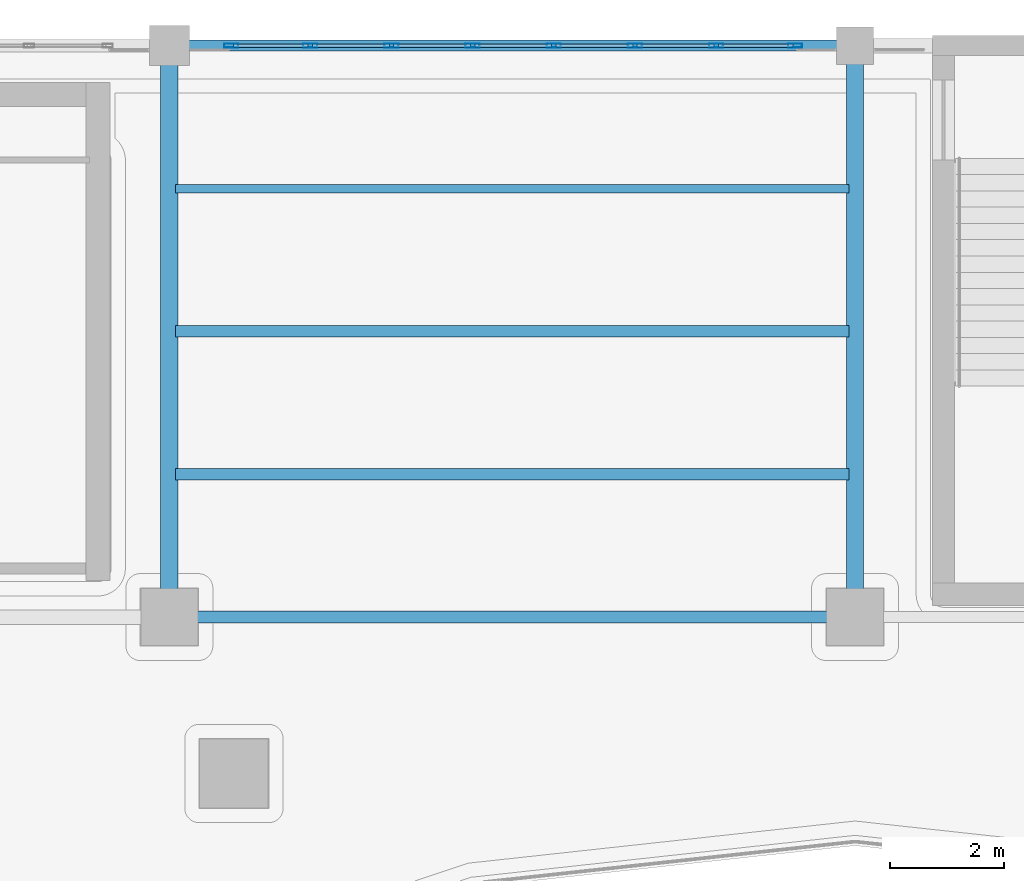
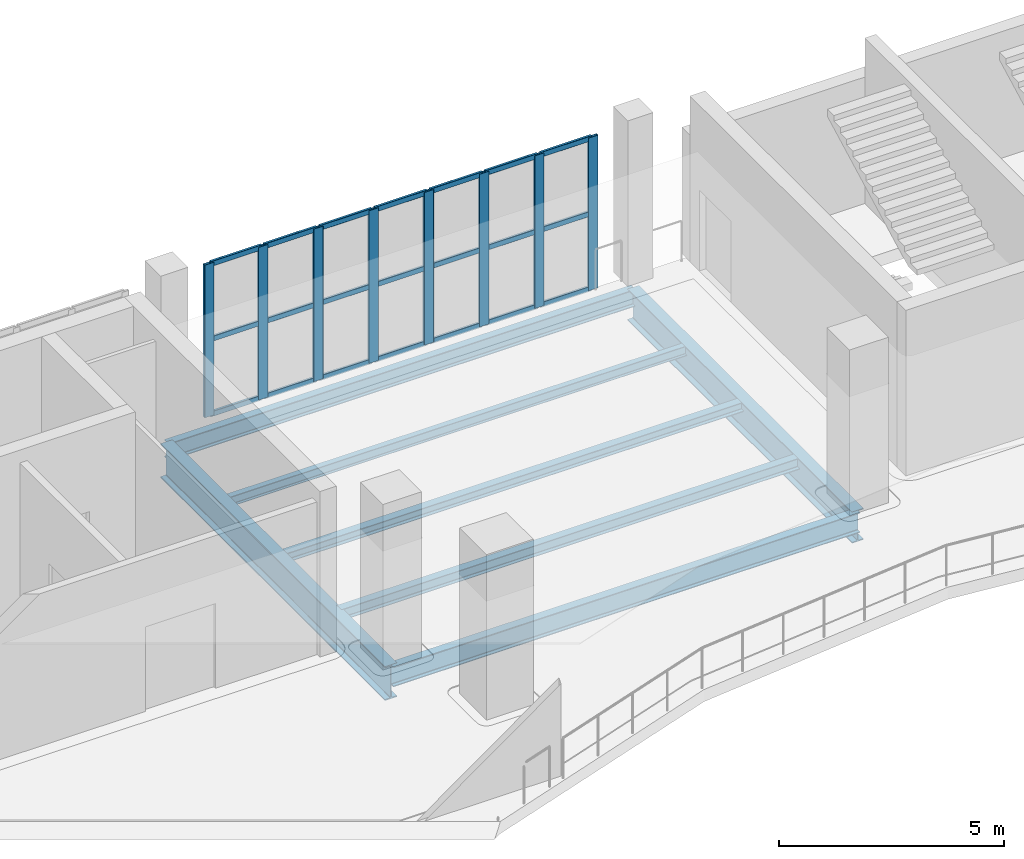
# One storey, part 45 of 108: 29 members, 7 beams, 1 element without a shape of its own.
"""IFC4 building model written with IfcOpenShell, lengths in metres."""

from ifc_helpers import new_model, si_unit, direction, frame, origin, origin_2d, place, context, subcontext, project, spatial, hollow_rectangle, i_section, extrude, material, layer, layer_set, material_profile, profile_set, type_object, element, aggregate, save


model = new_model("IFC4")

# Units and contexts
model_context = context("Model", 3, precision=1e-05, world=origin(), true_north=direction((0.0, 1.0)))
body_context = subcontext(model_context, "Body", "Model", "MODEL_VIEW")
ifc_project = project(units=[si_unit("LENGTHUNIT", "METRE"), si_unit("AREAUNIT", "SQUARE_METRE"), si_unit("VOLUMEUNIT", "CUBIC_METRE"), si_unit("PLANEANGLEUNIT", "RADIAN"), si_unit("MASSUNIT", "GRAM", prefix="KILO")], contexts=[model_context])

# Site, building, storey
site_placement = place(None, origin())
site = spatial("IfcSite", under=ifc_project, at=site_placement, CompositionType="ELEMENT")
building_placement = place(site_placement, origin())
building = spatial("IfcBuilding", under=site, at=building_placement, Name="Brinegate Civic Arena", CompositionType="ELEMENT")
storey_placement = place(building_placement, frame((0.0, 0.0, 10.199951171875)))
storey = spatial("IfcBuildingStorey", under=building, at=storey_placement, Name="L02", CompositionType="ELEMENT", Elevation=10.199951171875)

# Curtain wall, members
ifc_material_1 = material(Name="Marine grade aluminium", Category="aluminium")
ifc_layer = layer(ifc_material_1, 0.235107421875, Name="Marine grade aluminium")
ifc_layer_set = layer_set([ifc_layer], Name="Marine grade aluminium")
curtain_wall_type = type_object("IfcCurtainWallType", Name="CW-PORTAL-NORTH-01", PredefinedType="USERDEFINED", material=ifc_layer_set)
curtain_wall_placement = place(storey_placement, origin())
curtain_wall = element("IfcCurtainWall", 1, at=curtain_wall_placement, inside=storey, type_object=curtain_wall_type, Name="Curtain Wall CWA-098", ObjectType="PORTAL CURTAIN WALL", PredefinedType="USERDEFINED")
ifc_material_profile_1 = material_profile(ifc_material_1, hollow_rectangle(XDim=0.074951171875, YDim=0.25, WallThickness=0.006103515625, InnerFilletRadius=0.00390625, OuterFilletRadius=0.008056640625, at=origin_2d()), Name="MUL75X250")
ifc_profile_set_1 = profile_set([ifc_material_profile_1], Name="Marine grade aluminium")
member_type_1 = type_object("IfcMemberType", Name="CW-MULLION-75X250", PredefinedType="MULLION", material=ifc_profile_set_1)
member_1_placement = place(storey_placement, frame((97.08251953125, 124.0, 0.0), z_axis=(0.0, 0.0, 1.0), x_axis=(0.0, 1.0, 0.0)))
member_1 = element("IfcMember", 2, at=member_1_placement, type_object=member_type_1, Name="CWA-098 mullion 1", PredefinedType="MULLION", context=body_context, shape_type="SweptSolid", body=[
    extrude(hollow_rectangle(XDim=0.074951171875, YDim=0.25, WallThickness=0.006103515625, InnerFilletRadius=0.00390625, OuterFilletRadius=0.008056640625, at=origin_2d()), origin(), (0.0, 0.0, 1.0), 4.150146484375),
])
member_2_placement = place(storey_placement, frame((98.4658203125, 124.0, 0.0), z_axis=(0.0, 0.0, 1.0), x_axis=(0.0, 1.0, 0.0)))
member_2 = element("IfcMember", 3, at=member_2_placement, type_object=member_type_1, Name="CWA-098 mullion 2", PredefinedType="MULLION", context=body_context, shape_type="SweptSolid", body=[
    extrude(hollow_rectangle(XDim=0.074951171875, YDim=0.25, WallThickness=0.006103515625, InnerFilletRadius=0.00390625, OuterFilletRadius=0.008056640625, at=origin_2d()), origin(), (0.0, 0.0, 1.0), 4.150146484375),
])
member_3_placement = place(storey_placement, frame((99.886474609375, 124.0, 0.0), z_axis=(0.0, 0.0, 1.0), x_axis=(0.0, 1.0, 0.0)))
member_3 = element("IfcMember", 4, at=member_3_placement, type_object=member_type_1, Name="CWA-098 mullion 3", PredefinedType="MULLION", context=body_context, shape_type="SweptSolid", body=[
    extrude(hollow_rectangle(XDim=0.074951171875, YDim=0.25, WallThickness=0.006103515625, InnerFilletRadius=0.00390625, OuterFilletRadius=0.008056640625, at=origin_2d()), origin(), (0.0, 0.0, 1.0), 4.150146484375),
])
member_4_placement = place(storey_placement, frame((101.30712890625, 124.0, 0.0), z_axis=(0.0, 0.0, 1.0), x_axis=(0.0, 1.0, 0.0)))
member_4 = element("IfcMember", 5, at=member_4_placement, type_object=member_type_1, Name="CWA-098 mullion 4", PredefinedType="MULLION", context=body_context, shape_type="SweptSolid", body=[
    extrude(hollow_rectangle(XDim=0.074951171875, YDim=0.25, WallThickness=0.006103515625, InnerFilletRadius=0.00390625, OuterFilletRadius=0.008056640625, at=origin_2d()), origin(), (0.0, 0.0, 1.0), 4.150146484375),
])
member_5_placement = place(storey_placement, frame((102.727783203125, 124.0, 0.0), z_axis=(0.0, 0.0, 1.0), x_axis=(0.0, 1.0, 0.0)))
member_5 = element("IfcMember", 6, at=member_5_placement, type_object=member_type_1, Name="CWA-098 mullion 5", PredefinedType="MULLION", context=body_context, shape_type="SweptSolid", body=[
    extrude(hollow_rectangle(XDim=0.074951171875, YDim=0.25, WallThickness=0.006103515625, InnerFilletRadius=0.00390625, OuterFilletRadius=0.008056640625, at=origin_2d()), origin(), (0.0, 0.0, 1.0), 4.150146484375),
])
member_6_placement = place(storey_placement, frame((104.148681640625, 124.0, 0.0), z_axis=(0.0, 0.0, 1.0), x_axis=(0.0, 1.0, 0.0)))
member_6 = element("IfcMember", 7, at=member_6_placement, type_object=member_type_1, Name="CWA-098 mullion 6", PredefinedType="MULLION", context=body_context, shape_type="SweptSolid", body=[
    extrude(hollow_rectangle(XDim=0.074951171875, YDim=0.25, WallThickness=0.006103515625, InnerFilletRadius=0.00390625, OuterFilletRadius=0.008056640625, at=origin_2d()), origin(), (0.0, 0.0, 1.0), 4.150146484375),
])
member_7_placement = place(storey_placement, frame((105.5693359375, 124.0, 0.0), z_axis=(0.0, 0.0, 1.0), x_axis=(0.0, 1.0, 0.0)))
member_7 = element("IfcMember", 8, at=member_7_placement, type_object=member_type_1, Name="CWA-098 mullion 7", PredefinedType="MULLION", context=body_context, shape_type="SweptSolid", body=[
    extrude(hollow_rectangle(XDim=0.074951171875, YDim=0.25, WallThickness=0.006103515625, InnerFilletRadius=0.00390625, OuterFilletRadius=0.008056640625, at=origin_2d()), origin(), (0.0, 0.0, 1.0), 4.150146484375),
])
member_8_placement = place(storey_placement, frame((106.952392578125, 124.0, 0.0), z_axis=(0.0, 0.0, 1.0), x_axis=(0.0, 1.0, 0.0)))
member_8 = element("IfcMember", 9, at=member_8_placement, type_object=member_type_1, Name="CWA-098 mullion 8", PredefinedType="MULLION", context=body_context, shape_type="SweptSolid", body=[
    extrude(hollow_rectangle(XDim=0.074951171875, YDim=0.25, WallThickness=0.006103515625, InnerFilletRadius=0.00390625, OuterFilletRadius=0.008056640625, at=origin_2d()), origin(), (0.0, 0.0, 1.0), 4.150146484375),
])
ifc_material_profile_2 = material_profile(ifc_material_1, hollow_rectangle(XDim=0.06494140625, YDim=0.139892578125, WallThickness=0.0048828125, InnerFilletRadius=0.00390625, OuterFilletRadius=0.008056640625, at=origin_2d()), Name="TRN65X140")
ifc_profile_set_2 = profile_set([ifc_material_profile_2], Name="Marine grade aluminium")
member_type_2 = type_object("IfcMemberType", Name="CW-TRANSOM-65X140", PredefinedType="USERDEFINED", material=ifc_profile_set_2)
member_9_placement = place(storey_placement, frame((97.1201171875, 124.0, 0.032470703125), z_axis=(1.0, 0.0, 0.0), x_axis=(0.0, 1.0, 0.0)))
member_9 = element("IfcMember", 10, at=member_9_placement, type_object=member_type_2, Name="CWA-098 transom 1.1", ObjectType="TRANSOM", PredefinedType="USERDEFINED", context=body_context, shape_type="SweptSolid", body=[
    extrude(hollow_rectangle(XDim=0.06494140625, YDim=0.139892578125, WallThickness=0.0048828125, InnerFilletRadius=0.00390625, OuterFilletRadius=0.008056640625, at=origin_2d()), origin(), (0.0, 0.0, 1.0), 1.30810546875),
])
member_10_placement = place(storey_placement, frame((97.1201171875, 124.0, 2.074951171875), z_axis=(1.0, 0.0, 0.0), x_axis=(0.0, 1.0, 0.0)))
member_10 = element("IfcMember", 11, at=member_10_placement, type_object=member_type_2, Name="CWA-098 transom 1.2", ObjectType="TRANSOM", PredefinedType="USERDEFINED", context=body_context, shape_type="SweptSolid", body=[
    extrude(hollow_rectangle(XDim=0.06494140625, YDim=0.139892578125, WallThickness=0.0048828125, InnerFilletRadius=0.00390625, OuterFilletRadius=0.008056640625, at=origin_2d()), origin(), (0.0, 0.0, 1.0), 1.30810546875),
])
member_11_placement = place(storey_placement, frame((97.1201171875, 124.0, 4.117431640625), z_axis=(1.0, 0.0, 0.0), x_axis=(0.0, 1.0, 0.0)))
member_11 = element("IfcMember", 12, at=member_11_placement, type_object=member_type_2, Name="CWA-098 transom 1.3", ObjectType="TRANSOM", PredefinedType="USERDEFINED", context=body_context, shape_type="SweptSolid", body=[
    extrude(hollow_rectangle(XDim=0.06494140625, YDim=0.139892578125, WallThickness=0.0048828125, InnerFilletRadius=0.00390625, OuterFilletRadius=0.008056640625, at=origin_2d()), origin(), (0.0, 0.0, 1.0), 1.30810546875),
])
member_12_placement = place(storey_placement, frame((98.503173828125, 124.0, 0.032470703125), z_axis=(1.0, 0.0, 0.0), x_axis=(0.0, 1.0, 0.0)))
member_12 = element("IfcMember", 13, at=member_12_placement, type_object=member_type_2, Name="CWA-098 transom 2.1", ObjectType="TRANSOM", PredefinedType="USERDEFINED", context=body_context, shape_type="SweptSolid", body=[
    extrude(hollow_rectangle(XDim=0.06494140625, YDim=0.139892578125, WallThickness=0.0048828125, InnerFilletRadius=0.00390625, OuterFilletRadius=0.008056640625, at=origin_2d()), origin(), (0.0, 0.0, 1.0), 1.345703125),
])
member_13_placement = place(storey_placement, frame((98.503173828125, 124.0, 2.074951171875), z_axis=(1.0, 0.0, 0.0), x_axis=(0.0, 1.0, 0.0)))
member_13 = element("IfcMember", 14, at=member_13_placement, type_object=member_type_2, Name="CWA-098 transom 2.2", ObjectType="TRANSOM", PredefinedType="USERDEFINED", context=body_context, shape_type="SweptSolid", body=[
    extrude(hollow_rectangle(XDim=0.06494140625, YDim=0.139892578125, WallThickness=0.0048828125, InnerFilletRadius=0.00390625, OuterFilletRadius=0.008056640625, at=origin_2d()), origin(), (0.0, 0.0, 1.0), 1.345703125),
])
member_14_placement = place(storey_placement, frame((98.503173828125, 124.0, 4.117431640625), z_axis=(1.0, 0.0, 0.0), x_axis=(0.0, 1.0, 0.0)))
member_14 = element("IfcMember", 15, at=member_14_placement, type_object=member_type_2, Name="CWA-098 transom 2.3", ObjectType="TRANSOM", PredefinedType="USERDEFINED", context=body_context, shape_type="SweptSolid", body=[
    extrude(hollow_rectangle(XDim=0.06494140625, YDim=0.139892578125, WallThickness=0.0048828125, InnerFilletRadius=0.00390625, OuterFilletRadius=0.008056640625, at=origin_2d()), origin(), (0.0, 0.0, 1.0), 1.345703125),
])
member_15_placement = place(storey_placement, frame((99.923828125, 124.0, 0.032470703125), z_axis=(1.0, 0.0, 0.0), x_axis=(0.0, 1.0, 0.0)))
member_15 = element("IfcMember", 16, at=member_15_placement, type_object=member_type_2, Name="CWA-098 transom 3.1", ObjectType="TRANSOM", PredefinedType="USERDEFINED", context=body_context, shape_type="SweptSolid", body=[
    extrude(hollow_rectangle(XDim=0.06494140625, YDim=0.139892578125, WallThickness=0.0048828125, InnerFilletRadius=0.00390625, OuterFilletRadius=0.008056640625, at=origin_2d()), origin(), (0.0, 0.0, 1.0), 1.345703125),
])
member_16_placement = place(storey_placement, frame((99.923828125, 124.0, 2.074951171875), z_axis=(1.0, 0.0, 0.0), x_axis=(0.0, 1.0, 0.0)))
member_16 = element("IfcMember", 17, at=member_16_placement, type_object=member_type_2, Name="CWA-098 transom 3.2", ObjectType="TRANSOM", PredefinedType="USERDEFINED", context=body_context, shape_type="SweptSolid", body=[
    extrude(hollow_rectangle(XDim=0.06494140625, YDim=0.139892578125, WallThickness=0.0048828125, InnerFilletRadius=0.00390625, OuterFilletRadius=0.008056640625, at=origin_2d()), origin(), (0.0, 0.0, 1.0), 1.345703125),
])
member_17_placement = place(storey_placement, frame((99.923828125, 124.0, 4.117431640625), z_axis=(1.0, 0.0, 0.0), x_axis=(0.0, 1.0, 0.0)))
member_17 = element("IfcMember", 18, at=member_17_placement, type_object=member_type_2, Name="CWA-098 transom 3.3", ObjectType="TRANSOM", PredefinedType="USERDEFINED", context=body_context, shape_type="SweptSolid", body=[
    extrude(hollow_rectangle(XDim=0.06494140625, YDim=0.139892578125, WallThickness=0.0048828125, InnerFilletRadius=0.00390625, OuterFilletRadius=0.008056640625, at=origin_2d()), origin(), (0.0, 0.0, 1.0), 1.345703125),
])
member_18_placement = place(storey_placement, frame((101.3447265625, 124.0, 0.032470703125), z_axis=(1.0, 0.0, 0.0), x_axis=(0.0, 1.0, 0.0)))
member_18 = element("IfcMember", 19, at=member_18_placement, type_object=member_type_2, Name="CWA-098 transom 4.1", ObjectType="TRANSOM", PredefinedType="USERDEFINED", context=body_context, shape_type="SweptSolid", body=[
    extrude(hollow_rectangle(XDim=0.06494140625, YDim=0.139892578125, WallThickness=0.0048828125, InnerFilletRadius=0.00390625, OuterFilletRadius=0.008056640625, at=origin_2d()), origin(), (0.0, 0.0, 1.0), 1.345703125),
])
member_19_placement = place(storey_placement, frame((101.3447265625, 124.0, 2.074951171875), z_axis=(1.0, 0.0, 0.0), x_axis=(0.0, 1.0, 0.0)))
member_19 = element("IfcMember", 20, at=member_19_placement, type_object=member_type_2, Name="CWA-098 transom 4.2", ObjectType="TRANSOM", PredefinedType="USERDEFINED", context=body_context, shape_type="SweptSolid", body=[
    extrude(hollow_rectangle(XDim=0.06494140625, YDim=0.139892578125, WallThickness=0.0048828125, InnerFilletRadius=0.00390625, OuterFilletRadius=0.008056640625, at=origin_2d()), origin(), (0.0, 0.0, 1.0), 1.345703125),
])
member_20_placement = place(storey_placement, frame((101.3447265625, 124.0, 4.117431640625), z_axis=(1.0, 0.0, 0.0), x_axis=(0.0, 1.0, 0.0)))
member_20 = element("IfcMember", 21, at=member_20_placement, type_object=member_type_2, Name="CWA-098 transom 4.3", ObjectType="TRANSOM", PredefinedType="USERDEFINED", context=body_context, shape_type="SweptSolid", body=[
    extrude(hollow_rectangle(XDim=0.06494140625, YDim=0.139892578125, WallThickness=0.0048828125, InnerFilletRadius=0.00390625, OuterFilletRadius=0.008056640625, at=origin_2d()), origin(), (0.0, 0.0, 1.0), 1.345703125),
])
member_21_placement = place(storey_placement, frame((102.765380859375, 124.0, 0.032470703125), z_axis=(1.0, 0.0, 0.0), x_axis=(0.0, 1.0, 0.0)))
member_21 = element("IfcMember", 22, at=member_21_placement, type_object=member_type_2, Name="CWA-098 transom 5.1", ObjectType="TRANSOM", PredefinedType="USERDEFINED", context=body_context, shape_type="SweptSolid", body=[
    extrude(hollow_rectangle(XDim=0.06494140625, YDim=0.139892578125, WallThickness=0.0048828125, InnerFilletRadius=0.00390625, OuterFilletRadius=0.008056640625, at=origin_2d()), origin(), (0.0, 0.0, 1.0), 1.345703125),
])
member_22_placement = place(storey_placement, frame((102.765380859375, 124.0, 2.074951171875), z_axis=(1.0, 0.0, 0.0), x_axis=(0.0, 1.0, 0.0)))
member_22 = element("IfcMember", 23, at=member_22_placement, type_object=member_type_2, Name="CWA-098 transom 5.2", ObjectType="TRANSOM", PredefinedType="USERDEFINED", context=body_context, shape_type="SweptSolid", body=[
    extrude(hollow_rectangle(XDim=0.06494140625, YDim=0.139892578125, WallThickness=0.0048828125, InnerFilletRadius=0.00390625, OuterFilletRadius=0.008056640625, at=origin_2d()), origin(), (0.0, 0.0, 1.0), 1.345703125),
])
member_23_placement = place(storey_placement, frame((102.765380859375, 124.0, 4.117431640625), z_axis=(1.0, 0.0, 0.0), x_axis=(0.0, 1.0, 0.0)))
member_23 = element("IfcMember", 24, at=member_23_placement, type_object=member_type_2, Name="CWA-098 transom 5.3", ObjectType="TRANSOM", PredefinedType="USERDEFINED", context=body_context, shape_type="SweptSolid", body=[
    extrude(hollow_rectangle(XDim=0.06494140625, YDim=0.139892578125, WallThickness=0.0048828125, InnerFilletRadius=0.00390625, OuterFilletRadius=0.008056640625, at=origin_2d()), origin(), (0.0, 0.0, 1.0), 1.345703125),
])
member_24_placement = place(storey_placement, frame((104.18603515625, 124.0, 0.032470703125), z_axis=(1.0, 0.0, 0.0), x_axis=(0.0, 1.0, 0.0)))
member_24 = element("IfcMember", 25, at=member_24_placement, type_object=member_type_2, Name="CWA-098 transom 6.1", ObjectType="TRANSOM", PredefinedType="USERDEFINED", context=body_context, shape_type="SweptSolid", body=[
    extrude(hollow_rectangle(XDim=0.06494140625, YDim=0.139892578125, WallThickness=0.0048828125, InnerFilletRadius=0.00390625, OuterFilletRadius=0.008056640625, at=origin_2d()), origin(), (0.0, 0.0, 1.0), 1.345703125),
])
member_25_placement = place(storey_placement, frame((104.18603515625, 124.0, 2.074951171875), z_axis=(1.0, 0.0, 0.0), x_axis=(0.0, 1.0, 0.0)))
member_25 = element("IfcMember", 26, at=member_25_placement, type_object=member_type_2, Name="CWA-098 transom 6.2", ObjectType="TRANSOM", PredefinedType="USERDEFINED", context=body_context, shape_type="SweptSolid", body=[
    extrude(hollow_rectangle(XDim=0.06494140625, YDim=0.139892578125, WallThickness=0.0048828125, InnerFilletRadius=0.00390625, OuterFilletRadius=0.008056640625, at=origin_2d()), origin(), (0.0, 0.0, 1.0), 1.345703125),
])
member_26_placement = place(storey_placement, frame((104.18603515625, 124.0, 4.117431640625), z_axis=(1.0, 0.0, 0.0), x_axis=(0.0, 1.0, 0.0)))
member_26 = element("IfcMember", 27, at=member_26_placement, type_object=member_type_2, Name="CWA-098 transom 6.3", ObjectType="TRANSOM", PredefinedType="USERDEFINED", context=body_context, shape_type="SweptSolid", body=[
    extrude(hollow_rectangle(XDim=0.06494140625, YDim=0.139892578125, WallThickness=0.0048828125, InnerFilletRadius=0.00390625, OuterFilletRadius=0.008056640625, at=origin_2d()), origin(), (0.0, 0.0, 1.0), 1.345703125),
])
member_27_placement = place(storey_placement, frame((105.606689453125, 124.0, 0.032470703125), z_axis=(1.0, 0.0, 0.0), x_axis=(0.0, 1.0, 0.0)))
member_27 = element("IfcMember", 28, at=member_27_placement, type_object=member_type_2, Name="CWA-098 transom 7.1", ObjectType="TRANSOM", PredefinedType="USERDEFINED", context=body_context, shape_type="SweptSolid", body=[
    extrude(hollow_rectangle(XDim=0.06494140625, YDim=0.139892578125, WallThickness=0.0048828125, InnerFilletRadius=0.00390625, OuterFilletRadius=0.008056640625, at=origin_2d()), origin(), (0.0, 0.0, 1.0), 1.308349609375),
])
member_28_placement = place(storey_placement, frame((105.606689453125, 124.0, 2.074951171875), z_axis=(1.0, 0.0, 0.0), x_axis=(0.0, 1.0, 0.0)))
member_28 = element("IfcMember", 29, at=member_28_placement, type_object=member_type_2, Name="CWA-098 transom 7.2", ObjectType="TRANSOM", PredefinedType="USERDEFINED", context=body_context, shape_type="SweptSolid", body=[
    extrude(hollow_rectangle(XDim=0.06494140625, YDim=0.139892578125, WallThickness=0.0048828125, InnerFilletRadius=0.00390625, OuterFilletRadius=0.008056640625, at=origin_2d()), origin(), (0.0, 0.0, 1.0), 1.308349609375),
])
member_29_placement = place(storey_placement, frame((105.606689453125, 124.0, 4.117431640625), z_axis=(1.0, 0.0, 0.0), x_axis=(0.0, 1.0, 0.0)))
member_29 = element("IfcMember", 30, at=member_29_placement, type_object=member_type_2, Name="CWA-098 transom 7.3", ObjectType="TRANSOM", PredefinedType="USERDEFINED", context=body_context, shape_type="SweptSolid", body=[
    extrude(hollow_rectangle(XDim=0.06494140625, YDim=0.139892578125, WallThickness=0.0048828125, InnerFilletRadius=0.00390625, OuterFilletRadius=0.008056640625, at=origin_2d()), origin(), (0.0, 0.0, 1.0), 1.308349609375),
])
aggregate(curtain_wall, [member_1, member_2, member_3, member_4, member_5, member_6, member_7, member_8, member_9, member_10, member_11, member_12, member_13, member_14, member_15, member_16, member_17, member_18, member_19, member_20, member_21, member_22, member_23, member_24, member_25, member_26, member_27, member_28, member_29])

# Beams
ifc_material_2 = material(Name="Steel S355", Category="steel")
ifc_material_profile_3 = material_profile(ifc_material_2, i_section(OverallWidth=0.2939453125, OverallDepth=0.85107421875, WebThickness=0.01611328125, FlangeThickness=0.027099609375, FilletRadius=0.02197265625, at=origin_2d()), Name="W840X226")
ifc_profile_set_3 = profile_set([ifc_material_profile_3], Name="Steel S355")
beam_type_1 = type_object("IfcBeamType", Name="GIRDER-W840X226", PredefinedType="BEAM", material=ifc_profile_set_3)
beam_1_placement = place(storey_placement, frame((108.0, 114.0, -0.7548828125), z_axis=(0.0, 1.0, 0.0), x_axis=(-1.0, 0.0, 0.0)))
element("IfcBeam", 31, at=beam_1_placement, inside=storey, type_object=beam_type_1, Name="Floor Girder BM-L02-GY-09-11", PredefinedType="BEAM", context=body_context, shape_type="SweptSolid", body=[
    extrude(i_section(OverallWidth=0.2939453125, OverallDepth=0.85107421875, WebThickness=0.01611328125, FlangeThickness=0.027099609375, FilletRadius=0.02197265625, at=origin_2d()), origin(), (0.0, 0.0, 1.0), 10.0),
])
ifc_material_profile_4 = material_profile(ifc_material_2, i_section(OverallWidth=0.30810546875, OverallDepth=0.927001953125, WebThickness=0.01904296875, FlangeThickness=0.031982421875, FilletRadius=0.02392578125, at=origin_2d()), Name="W920X289")
ifc_profile_set_4 = profile_set([ifc_material_profile_4], Name="Steel S355")
beam_type_2 = type_object("IfcBeamType", Name="GIRDER-W920X289", PredefinedType="BEAM", material=ifc_profile_set_4)
beam_2_placement = place(storey_placement, frame((96.0, 114.0, -0.79296875), z_axis=(0.0, 1.0, 0.0), x_axis=(-1.0, 0.0, 0.0)))
element("IfcBeam", 32, at=beam_2_placement, inside=storey, type_object=beam_type_2, Name="Floor Girder BM-L02-GY-08-11", PredefinedType="BEAM", context=body_context, shape_type="SweptSolid", body=[
    extrude(i_section(OverallWidth=0.30810546875, OverallDepth=0.927001953125, WebThickness=0.01904296875, FlangeThickness=0.031982421875, FilletRadius=0.02392578125, at=origin_2d()), origin(), (0.0, 0.0, 1.0), 10.0),
])
ifc_material_profile_5 = material_profile(ifc_material_2, i_section(OverallWidth=0.14794921875, OverallDepth=0.26611328125, WebThickness=0.008056640625, FlangeThickness=0.012939453125, FilletRadius=0.011962890625, at=origin_2d()), Name="W250X45")
ifc_profile_set_5 = profile_set([ifc_material_profile_5], Name="Steel S355")
beam_type_3 = type_object("IfcBeamType", Name="JOIST-W250X45", PredefinedType="JOIST", material=ifc_profile_set_5)
beam_3_placement = place(storey_placement, frame((96.10595703125, 121.5, -0.462890625), z_axis=(1.0, 0.0, 0.0), x_axis=(0.0, 1.0, 0.0)))
element("IfcBeam", 33, at=beam_3_placement, inside=storey, type_object=beam_type_3, Name="Secondary Joist BM-L02-JX-08-11-3", PredefinedType="JOIST", context=body_context, shape_type="SweptSolid", body=[
    extrude(i_section(OverallWidth=0.14794921875, OverallDepth=0.26611328125, WebThickness=0.008056640625, FlangeThickness=0.012939453125, FilletRadius=0.011962890625, at=origin_2d()), origin(), (0.0, 0.0, 1.0), 11.7880859375),
])
ifc_material_profile_6 = material_profile(ifc_material_2, i_section(OverallWidth=0.202880859375, OverallDepth=0.251953125, WebThickness=0.008056640625, FlangeThickness=0.013916015625, FilletRadius=0.011962890625, at=origin_2d()), Name="W250X58")
ifc_profile_set_6 = profile_set([ifc_material_profile_6], Name="Steel S355")
beam_type_4 = type_object("IfcBeamType", Name="JOIST-W250X58", PredefinedType="JOIST", material=ifc_profile_set_6)
beam_4_placement = place(storey_placement, frame((96.10595703125, 119.0, -0.4560546875), z_axis=(1.0, 0.0, 0.0), x_axis=(0.0, 1.0, 0.0)))
element("IfcBeam", 34, at=beam_4_placement, inside=storey, type_object=beam_type_4, Name="Secondary Joist BM-L02-JX-08-11-2", PredefinedType="JOIST", context=body_context, shape_type="SweptSolid", body=[
    extrude(i_section(OverallWidth=0.202880859375, OverallDepth=0.251953125, WebThickness=0.008056640625, FlangeThickness=0.013916015625, FilletRadius=0.011962890625, at=origin_2d()), origin(), (0.0, 0.0, 1.0), 11.7880859375),
])
ifc_material_profile_7 = material_profile(ifc_material_2, i_section(OverallWidth=0.202880859375, OverallDepth=0.302978515625, WebThickness=0.008056640625, FlangeThickness=0.012939453125, FilletRadius=0.012939453125, at=origin_2d()), Name="W310X60")
ifc_profile_set_7 = profile_set([ifc_material_profile_7], Name="Steel S355")
beam_type_5 = type_object("IfcBeamType", Name="JOIST-W310X60", PredefinedType="JOIST", material=ifc_profile_set_7)
beam_5_placement = place(storey_placement, frame((96.10595703125, 116.5, -0.48095703125), z_axis=(1.0, 0.0, 0.0), x_axis=(0.0, 1.0, 0.0)))
element("IfcBeam", 35, at=beam_5_placement, inside=storey, type_object=beam_type_5, Name="Secondary Joist BM-L02-JX-08-11-1", PredefinedType="JOIST", context=body_context, shape_type="SweptSolid", body=[
    extrude(i_section(OverallWidth=0.202880859375, OverallDepth=0.302978515625, WebThickness=0.008056640625, FlangeThickness=0.012939453125, FilletRadius=0.012939453125, at=origin_2d()), origin(), (0.0, 0.0, 1.0), 11.7880859375),
])
ifc_material_profile_8 = material_profile(ifc_material_2, i_section(OverallWidth=0.193115234375, OverallDepth=0.466064453125, WebThickness=0.010986328125, FlangeThickness=0.01904296875, FilletRadius=0.014892578125, at=origin_2d()), Name="W460X97")
ifc_profile_set_8 = profile_set([ifc_material_profile_8], Name="Steel S355")
beam_type_6 = type_object("IfcBeamType", Name="SPANDREL-W460X97", PredefinedType="SPANDREL", material=ifc_profile_set_8)
beam_6_placement = place(storey_placement, frame((96.0, 124.0, -0.56298828125), z_axis=(1.0, 0.0, 0.0), x_axis=(0.0, 1.0, 0.0)))
element("IfcBeam", 36, at=beam_6_placement, inside=storey, type_object=beam_type_6, Name="Floor Girder BM-L02-GX-08-12", PredefinedType="SPANDREL", context=body_context, shape_type="SweptSolid", body=[
    extrude(i_section(OverallWidth=0.193115234375, OverallDepth=0.466064453125, WebThickness=0.010986328125, FlangeThickness=0.01904296875, FilletRadius=0.014892578125, at=origin_2d()), origin(), (0.0, 0.0, 1.0), 12.0),
])
ifc_material_profile_9 = material_profile(ifc_material_2, i_section(OverallWidth=0.2119140625, OverallDepth=0.5439453125, WebThickness=0.012939453125, FlangeThickness=0.02099609375, FilletRadius=0.01611328125, at=origin_2d()), Name="W530X123")
ifc_profile_set_9 = profile_set([ifc_material_profile_9], Name="Steel S355")
beam_type_7 = type_object("IfcBeamType", Name="SPANDREL-W530X123", PredefinedType="SPANDREL", material=ifc_profile_set_9)
beam_7_placement = place(storey_placement, frame((96.0, 114.0, -0.60205078125), z_axis=(1.0, 0.0, 0.0), x_axis=(0.0, 1.0, 0.0)))
element("IfcBeam", 37, at=beam_7_placement, inside=storey, type_object=beam_type_7, Name="Floor Girder BM-L02-GX-08-11", PredefinedType="SPANDREL", context=body_context, shape_type="SweptSolid", body=[
    extrude(i_section(OverallWidth=0.2119140625, OverallDepth=0.5439453125, WebThickness=0.012939453125, FlangeThickness=0.02099609375, FilletRadius=0.01611328125, at=origin_2d()), origin(), (0.0, 0.0, 1.0), 12.0),
])

save(model, "model.ifc")
